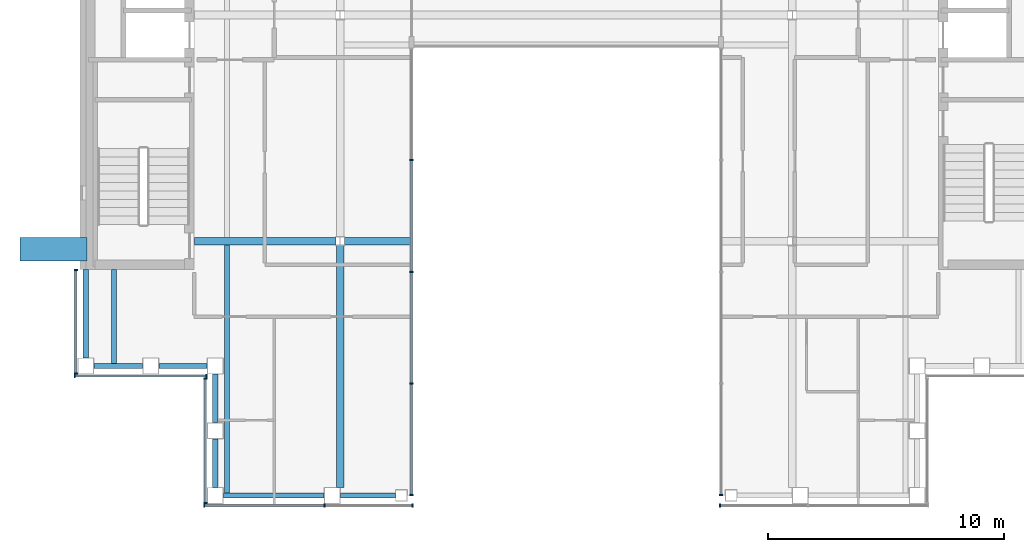
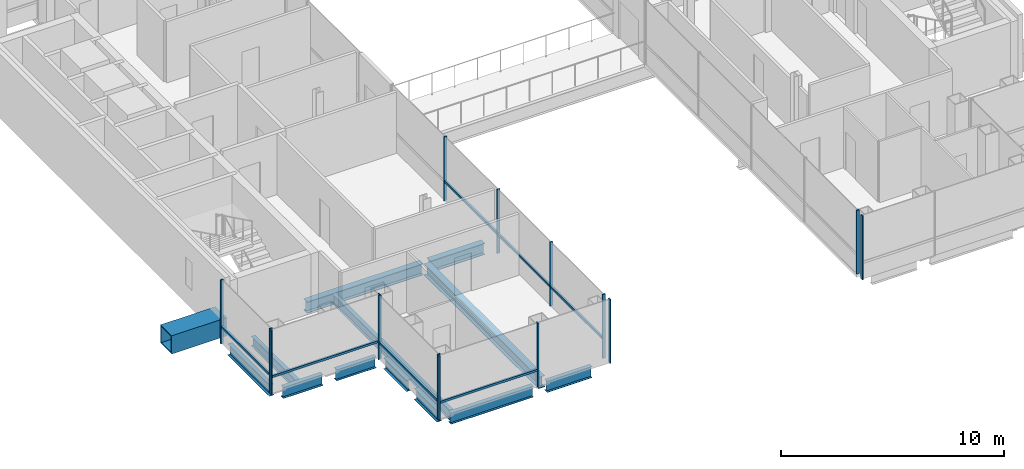
# One storey, part 3 of 16: 22 members, 13 beams, 7 elements without a shape of their own.
"""IFC4 building model written with IfcOpenShell, lengths in metres."""

from ifc_helpers import new_model, si_unit, direction, frame, origin, origin_2d, place, context, subcontext, project, spatial, rectangle, hollow_rectangle, i_section, extrude, material, material_profile, profile_set, type_object, element, aggregate, save


model = new_model("IFC4")

# Units and contexts
model_context = context("Model", 3, precision=1e-05, world=origin(), true_north=direction((0.0, 1.0)))
body_context = subcontext(model_context, "Body", "Model", "MODEL_VIEW")
ifc_project = project(units=[si_unit("LENGTHUNIT", "METRE"), si_unit("AREAUNIT", "SQUARE_METRE"), si_unit("VOLUMEUNIT", "CUBIC_METRE"), si_unit("PLANEANGLEUNIT", "RADIAN"), si_unit("MASSUNIT", "GRAM", prefix="KILO")], contexts=[model_context])

# Site, building, storey
site_placement = place(None, origin())
site = spatial("IfcSite", under=ifc_project, at=site_placement, CompositionType="ELEMENT")
building_placement = place(site_placement, origin())
building = spatial("IfcBuilding", under=site, at=building_placement, Name="Cobrizo Arcos Hotel Tower", CompositionType="ELEMENT")
storey_placement = place(building_placement, frame((0.0, 0.0, 229.5)))
storey = spatial("IfcBuildingStorey", under=building, at=storey_placement, Name="L60", CompositionType="ELEMENT", Elevation=229.5)

# Beam
ifc_material_1 = material(Name="Steel ASTM A572 Grade 50", Category="steel")
ifc_material_profile_1 = material_profile(ifc_material_1, hollow_rectangle(XDim=1.0, YDim=1.0, WallThickness=0.06005859375, at=origin_2d()), Name="BOX 1000X1000X60")
ifc_profile_set_1 = profile_set([ifc_material_profile_1], Name="Steel ASTM A572 Grade 50")
beam_type_1 = type_object("IfcBeamType", Name="BOX 1000X1000X60 brace connector strut", PredefinedType="BEAM", material=ifc_profile_set_1)
beam_1_placement = place(storey_placement, frame((-20.35009765625, -9.933349609375, 0.5), z_axis=(-1.0, 0.0, 0.0), x_axis=(0.0, -1.0, 0.0)))
element("IfcBeam", 1, at=beam_1_placement, inside=storey, type_object=beam_type_1, Name="Perimeter brace stub BS1, zone Z4, west face, offset -9.93 m, L60", PredefinedType="BEAM", context=body_context, shape_type="SweptSolid", body=[
    extrude(hollow_rectangle(XDim=1.0, YDim=1.0, WallThickness=0.06005859375, at=origin_2d()), origin(), (0.0, 0.0, 1.0), 2.844970703125),
])

# Curtain wall, members
ifc_material_2 = material(Name="Aluminium 6063-T6 anodised bronze", Category="aluminium")
curtain_wall_type_1 = type_object("IfcCurtainWallType", Name="CW-A guest facade", PredefinedType="NOTDEFINED", material=ifc_material_2)
curtain_wall_1_placement = place(storey_placement, origin())
curtain_wall_1 = element("IfcCurtainWall", 2, at=curtain_wall_1_placement, inside=storey, type_object=curtain_wall_type_1, Name="CW-A L60 S face", PredefinedType="NOTDEFINED")
ifc_material_profile_2 = material_profile(ifc_material_2, rectangle(XDim=0.14990234375, YDim=0.06005859375, at=origin_2d()), Name="CW-A mullion 150x60")
ifc_profile_set_2 = profile_set([ifc_material_profile_2], Name="Aluminium 6063-T6 anodised bronze")
member_type_1 = type_object("IfcMemberType", Name="CW-A mullion 150x60", PredefinedType="MULLION", material=ifc_profile_set_2)
member_1_placement = place(storey_placement, frame((-15.3701171875, -20.824951171875, 0.0), z_axis=(0.0, 0.0, 1.0), x_axis=(0.0, -1.0, 0.0)))
member_1 = element("IfcMember", 3, at=member_1_placement, type_object=member_type_1, Name="CW-A mullion 1", PredefinedType="MULLION", context=body_context, shape_type="SweptSolid", body=[
    extrude(rectangle(XDim=0.14990234375, YDim=0.06005859375, at=origin_2d()), origin(), (0.0, 0.0, 1.0), 3.5),
])
member_2_placement = place(storey_placement, frame((-10.2666015625, -20.824951171875, 0.0), z_axis=(0.0, 0.0, 1.0), x_axis=(0.0, -1.0, 0.0)))
member_2 = element("IfcMember", 4, at=member_2_placement, type_object=member_type_1, Name="CW-A mullion 2", PredefinedType="MULLION", context=body_context, shape_type="SweptSolid", body=[
    extrude(rectangle(XDim=0.14990234375, YDim=0.06005859375, at=origin_2d()), origin(), (0.0, 0.0, 1.0), 3.5),
])
member_3_placement = place(storey_placement, frame((-6.530029296875, -20.824951171875, 0.0), z_axis=(0.0, 0.0, 1.0), x_axis=(0.0, -1.0, 0.0)))
member_3 = element("IfcMember", 5, at=member_3_placement, type_object=member_type_1, Name="CW-A mullion 3", PredefinedType="MULLION", context=body_context, shape_type="SweptSolid", body=[
    extrude(rectangle(XDim=0.14990234375, YDim=0.06005859375, at=origin_2d()), origin(), (0.0, 0.0, 1.0), 3.5),
])

# Curtain wall, member
curtain_wall_2_placement = place(storey_placement, origin())
curtain_wall_2 = element("IfcCurtainWall", 6, at=curtain_wall_2_placement, inside=storey, type_object=curtain_wall_type_1, Name="CW-A L60 S face", PredefinedType="NOTDEFINED")
member_4_placement = place(storey_placement, frame((6.530029296875, -20.824951171875, 0.0), z_axis=(0.0, 0.0, 1.0), x_axis=(0.0, -1.0, 0.0)))
member_4 = element("IfcMember", 7, at=member_4_placement, type_object=member_type_1, Name="CW-A mullion 1", PredefinedType="MULLION", context=body_context, shape_type="SweptSolid", body=[
    extrude(rectangle(XDim=0.14990234375, YDim=0.06005859375, at=origin_2d()), origin(), (0.0, 0.0, 1.0), 3.5),
])
aggregate(curtain_wall_2, [member_4])

# Curtain wall, members
curtain_wall_3_placement = place(storey_placement, origin())
curtain_wall_3 = element("IfcCurtainWall", 8, at=curtain_wall_3_placement, inside=storey, type_object=curtain_wall_type_1, Name="CW-A L60 W face", PredefinedType="NOTDEFINED")
member_5_placement = place(storey_placement, frame((-20.824951171875, -10.830078125, 0.0), z_axis=(0.0, 0.0, 1.0), x_axis=(-1.0, 0.0, 0.0)))
member_5 = element("IfcMember", 9, at=member_5_placement, type_object=member_type_1, Name="CW-A mullion 1", PredefinedType="MULLION", context=body_context, shape_type="SweptSolid", body=[
    extrude(rectangle(XDim=0.14990234375, YDim=0.06005859375, at=origin_2d()), origin(), (0.0, 0.0, 1.0), 3.5),
])
member_6_placement = place(storey_placement, frame((-20.824951171875, -15.219970703125, 0.0), z_axis=(0.0, 0.0, 1.0), x_axis=(-1.0, 0.0, 0.0)))
member_6 = element("IfcMember", 10, at=member_6_placement, type_object=member_type_1, Name="CW-A mullion 2", PredefinedType="MULLION", context=body_context, shape_type="SweptSolid", body=[
    extrude(rectangle(XDim=0.14990234375, YDim=0.06005859375, at=origin_2d()), origin(), (0.0, 0.0, 1.0), 3.5),
])

curtain_wall_4_placement = place(storey_placement, origin())
curtain_wall_4 = element("IfcCurtainWall", 11, at=curtain_wall_4_placement, inside=storey, type_object=curtain_wall_type_1, Name="CW-A L60 S face", PredefinedType="NOTDEFINED")
member_7_placement = place(storey_placement, frame((-20.8701171875, -15.324951171875, 0.0), z_axis=(0.0, 0.0, 1.0), x_axis=(0.0, -1.0, 0.0)))
member_7 = element("IfcMember", 12, at=member_7_placement, type_object=member_type_1, Name="CW-A mullion 1", PredefinedType="MULLION", context=body_context, shape_type="SweptSolid", body=[
    extrude(rectangle(XDim=0.14990234375, YDim=0.06005859375, at=origin_2d()), origin(), (0.0, 0.0, 1.0), 3.5),
])
member_8_placement = place(storey_placement, frame((-15.280029296875, -15.324951171875, 0.0), z_axis=(0.0, 0.0, 1.0), x_axis=(0.0, -1.0, 0.0)))
member_8 = element("IfcMember", 13, at=member_8_placement, type_object=member_type_1, Name="CW-A mullion 2", PredefinedType="MULLION", context=body_context, shape_type="SweptSolid", body=[
    extrude(rectangle(XDim=0.14990234375, YDim=0.06005859375, at=origin_2d()), origin(), (0.0, 0.0, 1.0), 3.5),
])

curtain_wall_5_placement = place(storey_placement, origin())
curtain_wall_5 = element("IfcCurtainWall", 14, at=curtain_wall_5_placement, inside=storey, type_object=curtain_wall_type_1, Name="CW-A L60 W face", PredefinedType="NOTDEFINED")
member_9_placement = place(storey_placement, frame((-15.324951171875, -15.429931640625, 0.0), z_axis=(0.0, 0.0, 1.0), x_axis=(-1.0, 0.0, 0.0)))
member_9 = element("IfcMember", 15, at=member_9_placement, type_object=member_type_1, Name="CW-A mullion 1", PredefinedType="MULLION", context=body_context, shape_type="SweptSolid", body=[
    extrude(rectangle(XDim=0.14990234375, YDim=0.06005859375, at=origin_2d()), origin(), (0.0, 0.0, 1.0), 3.5),
])
member_10_placement = place(storey_placement, frame((-15.324951171875, -20.719970703125, 0.0), z_axis=(0.0, 0.0, 1.0), x_axis=(-1.0, 0.0, 0.0)))
member_10 = element("IfcMember", 16, at=member_10_placement, type_object=member_type_1, Name="CW-A mullion 2", PredefinedType="MULLION", context=body_context, shape_type="SweptSolid", body=[
    extrude(rectangle(XDim=0.14990234375, YDim=0.06005859375, at=origin_2d()), origin(), (0.0, 0.0, 1.0), 3.5),
])

# Member
ifc_material_profile_3 = material_profile(ifc_material_2, rectangle(XDim=0.10009765625, YDim=0.1201171875, at=origin_2d()), Name="CW-A transom 120x100")
ifc_profile_set_3 = profile_set([ifc_material_profile_3], Name="Aluminium 6063-T6 anodised bronze")
member_type_2 = type_object("IfcMemberType", Name="CW-A transom 120x100", PredefinedType="USERDEFINED", material=ifc_profile_set_3)
member_11_placement = place(storey_placement, frame((-15.340087890625, -20.824951171875, 0.929931640625), z_axis=(1.0, 0.0, 0.0), x_axis=(0.0, 1.0, 0.0)))
member_11 = element("IfcMember", 17, at=member_11_placement, type_object=member_type_2, Name="CW-A transom 1948", ObjectType="TRANSOM", PredefinedType="USERDEFINED", context=body_context, shape_type="SweptSolid", body=[
    extrude(rectangle(XDim=0.10009765625, YDim=0.1201171875, at=origin_2d()), origin(), (0.0, 0.0, 1.0), 5.04345703125),
])

aggregate(curtain_wall_1, [member_1, member_2, member_3, member_11])

member_12_placement = place(storey_placement, frame((-20.824951171875, -10.860107421875, 0.929931640625), z_axis=(0.0, -1.0, 0.0), x_axis=(1.0, 0.0, 0.0)))
member_12 = element("IfcMember", 18, at=member_12_placement, type_object=member_type_2, Name="CW-A transom 1965", ObjectType="TRANSOM", PredefinedType="USERDEFINED", context=body_context, shape_type="SweptSolid", body=[
    extrude(rectangle(XDim=0.10009765625, YDim=0.1201171875, at=origin_2d()), origin(), (0.0, 0.0, 1.0), 4.329833984375),
])

aggregate(curtain_wall_3, [member_5, member_6, member_12])

member_13_placement = place(storey_placement, frame((-20.840087890625, -15.324951171875, 0.929931640625), z_axis=(1.0, 0.0, 0.0), x_axis=(0.0, 1.0, 0.0)))
member_13 = element("IfcMember", 19, at=member_13_placement, type_object=member_type_2, Name="CW-A transom 1966", ObjectType="TRANSOM", PredefinedType="USERDEFINED", context=body_context, shape_type="SweptSolid", body=[
    extrude(rectangle(XDim=0.10009765625, YDim=0.1201171875, at=origin_2d()), origin(), (0.0, 0.0, 1.0), 5.530029296875),
])

aggregate(curtain_wall_4, [member_7, member_8, member_13])

member_14_placement = place(storey_placement, frame((-15.324951171875, -15.4599609375, 0.929931640625), z_axis=(0.0, -1.0, 0.0), x_axis=(1.0, 0.0, 0.0)))
member_14 = element("IfcMember", 20, at=member_14_placement, type_object=member_type_2, Name="CW-A transom 1967", ObjectType="TRANSOM", PredefinedType="USERDEFINED", context=body_context, shape_type="SweptSolid", body=[
    extrude(rectangle(XDim=0.10009765625, YDim=0.1201171875, at=origin_2d()), origin(), (0.0, 0.0, 1.0), 5.22998046875),
])

aggregate(curtain_wall_5, [member_9, member_10, member_14])

# Curtain wall, member
curtain_wall_type_2 = type_object("IfcCurtainWallType", Name="CW-F void screen", PredefinedType="NOTDEFINED", material=ifc_material_2)
curtain_wall_6_placement = place(storey_placement, origin())
curtain_wall_6 = element("IfcCurtainWall", 21, at=curtain_wall_6_placement, inside=storey, type_object=curtain_wall_type_2, Name="CW-F L60 void screen C", PredefinedType="NOTDEFINED")
ifc_material_profile_4 = material_profile(ifc_material_2, rectangle(XDim=0.14990234375, YDim=0.06005859375, at=origin_2d()), Name="CW-F mullion 150x60")
ifc_profile_set_4 = profile_set([ifc_material_profile_4], Name="Aluminium 6063-T6 anodised bronze")
member_type_3 = type_object("IfcMemberType", Name="CW-F mullion 150x60", PredefinedType="MULLION", material=ifc_profile_set_4)
member_15_placement = place(storey_placement, frame((6.574951171875, -20.3701171875, 0.0), z_axis=(0.0, 0.0, 1.0), x_axis=(1.0, 0.0, 0.0)))
member_15 = element("IfcMember", 22, at=member_15_placement, type_object=member_type_3, Name="CW-F mullion 1", PredefinedType="MULLION", context=body_context, shape_type="SweptSolid", body=[
    extrude(rectangle(XDim=0.14990234375, YDim=0.06005859375, at=origin_2d()), origin(), (0.0, 0.0, 1.0), 3.5),
])
aggregate(curtain_wall_6, [member_15])

# Curtain wall, members
curtain_wall_7_placement = place(storey_placement, origin())
curtain_wall_7 = element("IfcCurtainWall", 23, at=curtain_wall_7_placement, inside=storey, type_object=curtain_wall_type_2, Name="CW-F L60 void screen C", PredefinedType="NOTDEFINED")
member_16_placement = place(storey_placement, frame((-6.574951171875, -6.14990234375, 0.0), z_axis=(0.0, 0.0, 1.0), x_axis=(-1.0, 0.0, 0.0)))
member_16 = element("IfcMember", 24, at=member_16_placement, type_object=member_type_3, Name="CW-F mullion 2", PredefinedType="MULLION", context=body_context, shape_type="SweptSolid", body=[
    extrude(rectangle(XDim=0.14990234375, YDim=0.06005859375, at=origin_2d()), origin(), (0.0, 0.0, 1.0), 3.5),
])
member_17_placement = place(storey_placement, frame((-6.574951171875, -10.89990234375, 0.0), z_axis=(0.0, 0.0, 1.0), x_axis=(-1.0, 0.0, 0.0)))
member_17 = element("IfcMember", 25, at=member_17_placement, type_object=member_type_3, Name="CW-F mullion 3", PredefinedType="MULLION", context=body_context, shape_type="SweptSolid", body=[
    extrude(rectangle(XDim=0.14990234375, YDim=0.06005859375, at=origin_2d()), origin(), (0.0, 0.0, 1.0), 3.5),
])
member_18_placement = place(storey_placement, frame((-6.574951171875, -15.64990234375, 0.0), z_axis=(0.0, 0.0, 1.0), x_axis=(-1.0, 0.0, 0.0)))
member_18 = element("IfcMember", 26, at=member_18_placement, type_object=member_type_3, Name="CW-F mullion 4", PredefinedType="MULLION", context=body_context, shape_type="SweptSolid", body=[
    extrude(rectangle(XDim=0.14990234375, YDim=0.06005859375, at=origin_2d()), origin(), (0.0, 0.0, 1.0), 3.5),
])
member_19_placement = place(storey_placement, frame((-6.574951171875, -20.3701171875, 0.0), z_axis=(0.0, 0.0, 1.0), x_axis=(-1.0, 0.0, 0.0)))
member_19 = element("IfcMember", 27, at=member_19_placement, type_object=member_type_3, Name="CW-F mullion 5", PredefinedType="MULLION", context=body_context, shape_type="SweptSolid", body=[
    extrude(rectangle(XDim=0.14990234375, YDim=0.06005859375, at=origin_2d()), origin(), (0.0, 0.0, 1.0), 3.5),
])
ifc_material_profile_5 = material_profile(ifc_material_2, rectangle(XDim=0.10009765625, YDim=0.1201171875, at=origin_2d()), Name="CW-F transom 120x100")
ifc_profile_set_5 = profile_set([ifc_material_profile_5], Name="Aluminium 6063-T6 anodised bronze")
member_type_4 = type_object("IfcMemberType", Name="CW-F transom 120x100", PredefinedType="USERDEFINED", material=ifc_profile_set_5)
member_20_placement = place(storey_placement, frame((-6.574951171875, -6.179931640625, 1.050048828125), z_axis=(0.0, -1.0, 0.0), x_axis=(1.0, 0.0, 0.0)))
member_20 = element("IfcMember", 28, at=member_20_placement, type_object=member_type_4, Name="CW-F transom 2745", ObjectType="TRANSOM", PredefinedType="USERDEFINED", context=body_context, shape_type="SweptSolid", body=[
    extrude(rectangle(XDim=0.10009765625, YDim=0.1201171875, at=origin_2d()), origin(), (0.0, 0.0, 1.0), 4.690185546875),
])
member_21_placement = place(storey_placement, frame((-6.574951171875, -10.929931640625, 1.050048828125), z_axis=(0.0, -1.0, 0.0), x_axis=(1.0, 0.0, 0.0)))
member_21 = element("IfcMember", 29, at=member_21_placement, type_object=member_type_4, Name="CW-F transom 2746", ObjectType="TRANSOM", PredefinedType="USERDEFINED", context=body_context, shape_type="SweptSolid", body=[
    extrude(rectangle(XDim=0.10009765625, YDim=0.1201171875, at=origin_2d()), origin(), (0.0, 0.0, 1.0), 4.690185546875),
])
member_22_placement = place(storey_placement, frame((-6.574951171875, -15.679931640625, 1.050048828125), z_axis=(0.0, -1.0, 0.0), x_axis=(1.0, 0.0, 0.0)))
member_22 = element("IfcMember", 30, at=member_22_placement, type_object=member_type_4, Name="CW-F transom 2747", ObjectType="TRANSOM", PredefinedType="USERDEFINED", context=body_context, shape_type="SweptSolid", body=[
    extrude(rectangle(XDim=0.10009765625, YDim=0.1201171875, at=origin_2d()), origin(), (0.0, 0.0, 1.0), 4.66015625),
])
aggregate(curtain_wall_7, [member_16, member_17, member_18, member_19, member_20, member_21, member_22])

# Beams
ifc_material_3 = material(Name="Steel ASTM A992 Grade 50", Category="steel")
ifc_material_profile_6 = material_profile(ifc_material_3, i_section(OverallWidth=0.209228515625, OverallDepth=0.533447265625, WebThickness=0.01025390625, FlangeThickness=0.015625, at=origin_2d()), Name="W21X62")
ifc_profile_set_6 = profile_set([ifc_material_profile_6], Name="Steel ASTM A992 Grade 50")
beam_type_2 = type_object("IfcBeamType", Name="W21X62 joist", PredefinedType="JOIST", material=ifc_profile_set_6)
beam_2_placement = place(storey_placement, frame((-19.199951171875, -14.81005859375, -0.416748046875), z_axis=(0.0, 1.0, 0.0), x_axis=(-1.0, 0.0, 0.0)))
element("IfcBeam", 31, at=beam_2_placement, inside=storey, type_object=beam_type_2, Name="Floor joist J1, L60, no. 001", PredefinedType="JOIST", context=body_context, shape_type="SweptSolid", body=[
    extrude(i_section(OverallWidth=0.209228515625, OverallDepth=0.533447265625, WebThickness=0.01025390625, FlangeThickness=0.015625, at=origin_2d()), origin(), (0.0, 0.0, 1.0), 4.0),
])
beam_3_placement = place(storey_placement, frame((-14.39990234375, -20.31005859375, -0.416748046875), z_axis=(0.0, 1.0, 0.0), x_axis=(-1.0, 0.0, 0.0)))
element("IfcBeam", 32, at=beam_3_placement, inside=storey, type_object=beam_type_2, Name="Floor joist J1, L60, no. 003", PredefinedType="JOIST", context=body_context, shape_type="SweptSolid", body=[
    extrude(i_section(OverallWidth=0.209228515625, OverallDepth=0.533447265625, WebThickness=0.01025390625, FlangeThickness=0.015625, at=origin_2d()), origin(), (0.0, 0.0, 1.0), 10.546142578125),
])
ifc_material_profile_7 = material_profile(ifc_material_3, i_section(OverallWidth=0.32763671875, OverallDepth=0.622314453125, WebThickness=0.015380859375, FlangeThickness=0.0244140625, at=origin_2d()), Name="W24X131")
ifc_profile_set_7 = profile_set([ifc_material_profile_7], Name="Steel ASTM A992 Grade 50")
beam_type_3 = type_object("IfcBeamType", Name="W24X131 girder", PredefinedType="BEAM", material=ifc_profile_set_7)
beam_4_placement = place(storey_placement, frame((-15.7900390625, -9.60009765625, -0.461181640625), z_axis=(1.0, 0.0, 0.0), x_axis=(0.0, 1.0, 0.0)))
element("IfcBeam", 33, at=beam_4_placement, inside=storey, type_object=beam_type_3, Name="Floor girder G1, L60, no. 001", PredefinedType="BEAM", context=body_context, shape_type="SweptSolid", body=[
    extrude(i_section(OverallWidth=0.32763671875, OverallDepth=0.622314453125, WebThickness=0.015380859375, FlangeThickness=0.0244140625, at=origin_2d()), origin(), (0.0, 0.0, 1.0), 6.00341796875),
])
beam_5_placement = place(storey_placement, frame((-9.413330078125, -9.60009765625, -0.461181640625), z_axis=(1.0, 0.0, 0.0), x_axis=(0.0, 1.0, 0.0)))
element("IfcBeam", 34, at=beam_5_placement, inside=storey, type_object=beam_type_3, Name="Floor girder G1, L60, no. 002", PredefinedType="BEAM", context=body_context, shape_type="SweptSolid", body=[
    extrude(i_section(OverallWidth=0.32763671875, OverallDepth=0.622314453125, WebThickness=0.015380859375, FlangeThickness=0.0244140625, at=origin_2d()), origin(), (0.0, 0.0, 1.0), 2.8232421875),
])
beam_6_placement = place(storey_placement, frame((-9.60009765625, -20.050048828125, -0.461181640625), z_axis=(0.0, 1.0, 0.0), x_axis=(-1.0, 0.0, 0.0)))
element("IfcBeam", 35, at=beam_6_placement, inside=storey, type_object=beam_type_3, Name="Floor girder G1, L60, no. 012", PredefinedType="BEAM", context=body_context, shape_type="SweptSolid", body=[
    extrude(i_section(OverallWidth=0.32763671875, OverallDepth=0.622314453125, WebThickness=0.015380859375, FlangeThickness=0.0244140625, at=origin_2d()), origin(), (0.0, 0.0, 1.0), 10.263427734375),
])
ifc_material_profile_8 = material_profile(ifc_material_3, i_section(OverallWidth=0.228271484375, OverallDepth=0.607177734375, WebThickness=0.01123046875, FlangeThickness=0.017333984375, at=origin_2d()), Name="W24X76")
ifc_profile_set_8 = profile_set([ifc_material_profile_8], Name="Steel ASTM A992 Grade 50")
beam_type_4 = type_object("IfcBeamType", Name="W24X76 spandrel", PredefinedType="SPANDREL", material=ifc_profile_set_8)
beam_7_placement = place(storey_placement, frame((-7.25, -20.39990234375, -0.45361328125), z_axis=(-1.0, 0.0, 0.0), x_axis=(0.0, -1.0, 0.0)))
element("IfcBeam", 36, at=beam_7_placement, inside=storey, type_object=beam_type_4, Name="Spandrel beam W24X76, L60, no. 011", PredefinedType="SPANDREL", context=body_context, shape_type="SweptSolid", body=[
    extrude(i_section(OverallWidth=0.228271484375, OverallDepth=0.607177734375, WebThickness=0.01123046875, FlangeThickness=0.017333984375, at=origin_2d()), origin(), (0.0, 0.0, 1.0), 2.3330078125),
])
beam_8_placement = place(storey_placement, frame((-10.282958984375, -20.39990234375, -0.45361328125), z_axis=(-1.0, 0.0, 0.0), x_axis=(0.0, -1.0, 0.0)))
element("IfcBeam", 37, at=beam_8_placement, inside=storey, type_object=beam_type_4, Name="Spandrel beam W24X76, L60, no. 012", PredefinedType="SPANDREL", context=body_context, shape_type="SweptSolid", body=[
    extrude(i_section(OverallWidth=0.228271484375, OverallDepth=0.607177734375, WebThickness=0.01123046875, FlangeThickness=0.017333984375, at=origin_2d()), origin(), (0.0, 0.0, 1.0), 4.26708984375),
])
for number, where, z_axis, x_axis, name in (
    (38, (-14.89990234375, -20.050048828125, -0.45361328125), (0.0, 1.0, 0.0), (-1.0, 0.0, 0.0), "Spandrel beam W24X76, L60, no. 013"),
    (39, (-14.89990234375, -17.300048828125, -0.45361328125), (0.0, 1.0, 0.0), (-1.0, 0.0, 0.0), "Spandrel beam W24X76, L60, no. 014"),
    (40, (-15.25, -14.89990234375, -0.45361328125), (-1.0, 0.0, 0.0), (0.0, -1.0, 0.0), "Spandrel beam W24X76, L60, no. 015"),
    (41, (-18.0, -14.89990234375, -0.45361328125), (-1.0, 0.0, 0.0), (0.0, -1.0, 0.0), "Spandrel beam W24X76, L60, no. 016"),
):
    element("IfcBeam", number, at=place(storey_placement, frame(where, z_axis=z_axis, x_axis=x_axis)), inside=storey, type_object=beam_type_4, Name=name, PredefinedType="SPANDREL", context=body_context, shape_type="SweptSolid", body=[
        extrude(i_section(OverallWidth=0.228271484375, OverallDepth=0.607177734375, WebThickness=0.01123046875, FlangeThickness=0.017333984375, at=origin_2d()), origin(), (0.0, 0.0, 1.0), 2.050048828125),
    ])
beam_9_placement = place(storey_placement, frame((-20.39990234375, -14.550048828125, -0.45361328125), z_axis=(0.0, 1.0, 0.0), x_axis=(-1.0, 0.0, 0.0)))
element("IfcBeam", 42, at=beam_9_placement, inside=storey, type_object=beam_type_4, Name="Spandrel beam W24X76, L60, no. 017", PredefinedType="SPANDREL", context=body_context, shape_type="SweptSolid", body=[
    extrude(i_section(OverallWidth=0.228271484375, OverallDepth=0.607177734375, WebThickness=0.01123046875, FlangeThickness=0.017333984375, at=origin_2d()), origin(), (0.0, 0.0, 1.0), 3.739990234375),
])

save(model, "model.ifc")
